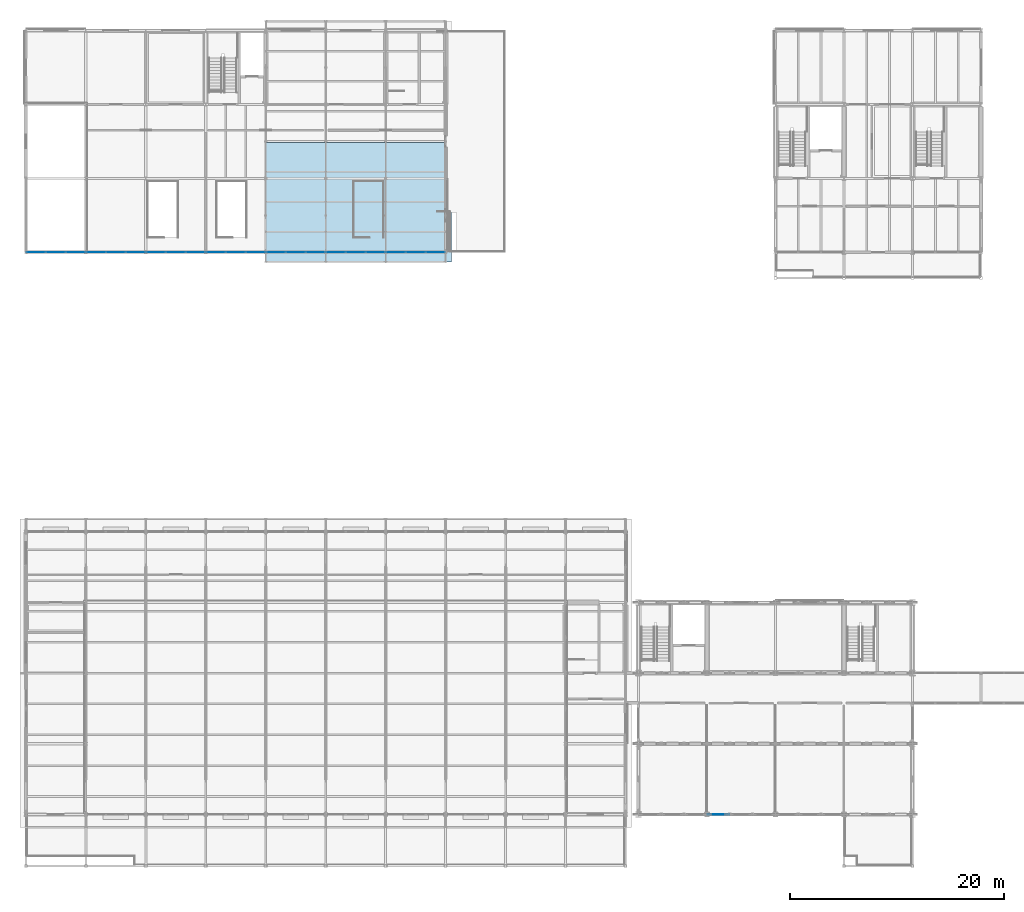
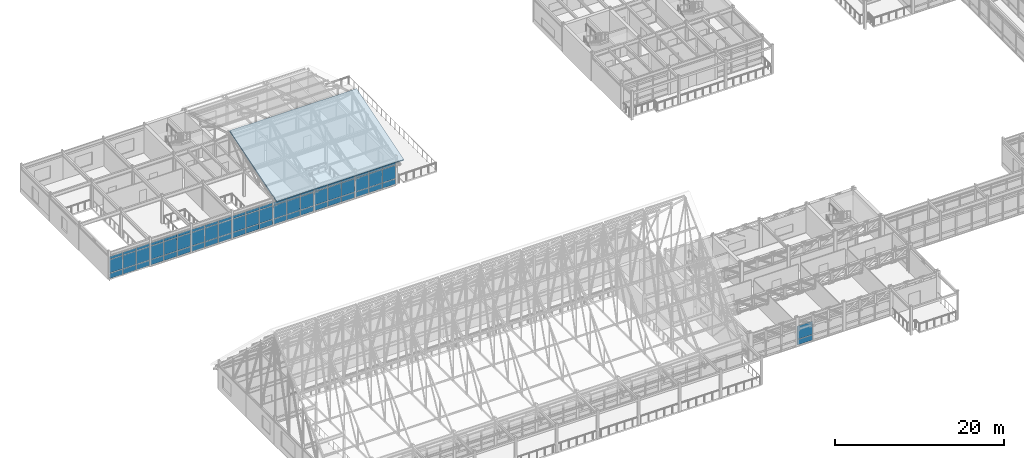
# One storey, part 94 of 144: 65 plates, 1 slab, 8 elements without a shape of their own.
"""IFC4 building model written with IfcOpenShell, lengths in metres."""

from ifc_helpers import new_model, si_unit, direction, frame, origin, origin_2d, place, context, subcontext, project, spatial, polyline, rectangle, outline, extrude, material, layer, layer_set, type_object, element, aggregate, save


model = new_model("IFC4")

# Units and contexts
model_context = context("Model", 3, precision=1e-05, world=origin(), true_north=direction((0.0, 1.0)))
body_context = subcontext(model_context, "Body", "Model", "MODEL_VIEW")
ifc_project = project(units=[si_unit("LENGTHUNIT", "METRE"), si_unit("AREAUNIT", "SQUARE_METRE"), si_unit("VOLUMEUNIT", "CUBIC_METRE"), si_unit("PLANEANGLEUNIT", "RADIAN"), si_unit("MASSUNIT", "GRAM", prefix="KILO")], contexts=[model_context])

# Site, building, storey
site_placement = place(None, origin())
site = spatial("IfcSite", under=ifc_project, at=site_placement, CompositionType="ELEMENT")
building_placement = place(site_placement, origin())
building = spatial("IfcBuilding", under=site, at=building_placement, Name="Trelmorton Wharf Fire Station", CompositionType="ELEMENT")
storey_placement = place(building_placement, frame((0.0, 0.0, 5.39990234375)))
storey = spatial("IfcBuildingStorey", under=building, at=storey_placement, Name="L01", CompositionType="ELEMENT", Elevation=5.39990234375)

# Curtain wall, plates
ifc_material_1 = material(Name="Anodised aluminium AW-6063", Category="aluminium")
ifc_layer_1 = layer(ifc_material_1, 0.159912109375)
ifc_layer_set_1 = layer_set([ifc_layer_1], Name="Anodised aluminium AW-6063")
curtain_wall_type_1 = type_object("IfcCurtainWallType", Name="CW_CHIC_A", PredefinedType="USERDEFINED", material=ifc_layer_set_1)
curtain_wall_1_placement = place(storey_placement, origin())
curtain_wall_1 = element("IfcCurtainWall", 1, at=curtain_wall_1_placement, inside=storey, type_object=curtain_wall_type_1, Name="CW-V3-L01-023", ObjectType="CHICAGO BAY CURTAIN WALL", PredefinedType="USERDEFINED")
ifc_material_2 = material(Name="Tempered low-E double glazing", Category="glass")
ifc_layer_2 = layer(ifc_material_2, 0.028076171875)
ifc_layer_set_2 = layer_set([ifc_layer_2], Name="Tempered low-E double glazing")
plate_type_1 = type_object("IfcPlateType", Name="CWP_GLAZ_28", PredefinedType="CURTAIN_PANEL", material=ifc_layer_set_2)
plate_1_placement = place(storey_placement, frame((65.485107421875, 7.800048828125, 0.06005859375), z_axis=(0.0, 0.0, 1.0), x_axis=(-1.0, 0.0, 0.0)))
plate_1 = element("IfcPlate", 2, at=plate_1_placement, type_object=plate_type_1, Name="CW1 panel 3.1", PredefinedType="CURTAIN_PANEL", context=body_context, shape_type="SweptSolid", body=[
    extrude(rectangle(XDim=2.0400390625, YDim=0.028076171875, at=origin_2d()), origin(), (0.0, 0.0, 1.0), 0.760009765625),
])
plate_2_placement = place(storey_placement, frame((65.485107421875, 7.800048828125, 0.88037109375), z_axis=(0.0, 0.0, 1.0), x_axis=(-1.0, 0.0, 0.0)))
plate_2 = element("IfcPlate", 3, at=plate_2_placement, type_object=plate_type_1, Name="CW1 panel 3.2", PredefinedType="CURTAIN_PANEL", context=body_context, shape_type="SweptSolid", body=[
    extrude(rectangle(XDim=2.0400390625, YDim=0.028076171875, at=origin_2d()), origin(), (0.0, 0.0, 1.0), 1.909912109375),
])
aggregate(curtain_wall_1, [plate_1, plate_2])

ifc_layer_3 = layer(ifc_material_1, 0.14990234375)
ifc_layer_set_3 = layer_set([ifc_layer_3], Name="Anodised aluminium AW-6063")
curtain_wall_type_2 = type_object("IfcCurtainWallType", Name="CW_UNIT_A", PredefinedType="USERDEFINED", material=ifc_layer_set_3)
curtain_wall_2_placement = place(storey_placement, origin())
curtain_wall_2 = element("IfcCurtainWall", 4, at=curtain_wall_2_placement, inside=storey, type_object=curtain_wall_type_2, Name="CW-V6-L01-091", ObjectType="UNITISED CURTAIN WALL", PredefinedType="USERDEFINED")
plate_3_placement = place(storey_placement, frame((11.04833984375, 60.300048828125, 0.06005859375), z_axis=(0.0, 0.0, 1.0), x_axis=(-1.0, 0.0, 0.0)))
plate_3 = element("IfcPlate", 5, at=plate_3_placement, type_object=plate_type_1, Name="CW3 panel 1.1", PredefinedType="CURTAIN_PANEL", context=body_context, shape_type="SweptSolid", body=[
    extrude(rectangle(XDim=1.7734375, YDim=0.028076171875, at=origin_2d()), origin(), (0.0, 0.0, 1.0), 0.760009765625),
])
plate_4_placement = place(storey_placement, frame((11.04833984375, 60.300048828125, 0.88037109375), z_axis=(0.0, 0.0, 1.0), x_axis=(-1.0, 0.0, 0.0)))
plate_4 = element("IfcPlate", 6, at=plate_4_placement, type_object=plate_type_1, Name="CW3 panel 1.2", PredefinedType="CURTAIN_PANEL", context=body_context, shape_type="SweptSolid", body=[
    extrude(rectangle(XDim=1.7734375, YDim=0.028076171875, at=origin_2d()), origin(), (0.0, 0.0, 1.0), 1.909912109375),
])
plate_5_placement = place(storey_placement, frame((11.04833984375, 60.300048828125, 2.85009765625), z_axis=(0.0, 0.0, 1.0), x_axis=(-1.0, 0.0, 0.0)))
plate_5 = element("IfcPlate", 7, at=plate_5_placement, type_object=plate_type_1, Name="CW3 panel 1.3", PredefinedType="CURTAIN_PANEL", context=body_context, shape_type="SweptSolid", body=[
    extrude(rectangle(XDim=1.7734375, YDim=0.028076171875, at=origin_2d()), origin(), (0.0, 0.0, 1.0), 0.409912109375),
])
plate_6_placement = place(storey_placement, frame((9.199951171875, 60.300048828125, 0.06005859375), z_axis=(0.0, 0.0, 1.0), x_axis=(-1.0, 0.0, 0.0)))
plate_6 = element("IfcPlate", 8, at=plate_6_placement, type_object=plate_type_1, Name="CW3 panel 2.1", PredefinedType="CURTAIN_PANEL", context=body_context, shape_type="SweptSolid", body=[
    extrude(rectangle(XDim=1.80322265625, YDim=0.028076171875, at=origin_2d()), origin(), (0.0, 0.0, 1.0), 0.760009765625),
])
plate_7_placement = place(storey_placement, frame((9.199951171875, 60.300048828125, 0.88037109375), z_axis=(0.0, 0.0, 1.0), x_axis=(-1.0, 0.0, 0.0)))
plate_7 = element("IfcPlate", 9, at=plate_7_placement, type_object=plate_type_1, Name="CW3 panel 2.2", PredefinedType="CURTAIN_PANEL", context=body_context, shape_type="SweptSolid", body=[
    extrude(rectangle(XDim=1.80322265625, YDim=0.028076171875, at=origin_2d()), origin(), (0.0, 0.0, 1.0), 1.909912109375),
])
plate_8_placement = place(storey_placement, frame((9.199951171875, 60.300048828125, 2.85009765625), z_axis=(0.0, 0.0, 1.0), x_axis=(-1.0, 0.0, 0.0)))
plate_8 = element("IfcPlate", 10, at=plate_8_placement, type_object=plate_type_1, Name="CW3 panel 2.3", PredefinedType="CURTAIN_PANEL", context=body_context, shape_type="SweptSolid", body=[
    extrude(rectangle(XDim=1.80322265625, YDim=0.028076171875, at=origin_2d()), origin(), (0.0, 0.0, 1.0), 0.409912109375),
])
plate_9_placement = place(storey_placement, frame((7.3515625, 60.300048828125, 0.06005859375), z_axis=(0.0, 0.0, 1.0), x_axis=(-1.0, 0.0, 0.0)))
plate_9 = element("IfcPlate", 11, at=plate_9_placement, type_object=plate_type_1, Name="CW3 panel 3.1", PredefinedType="CURTAIN_PANEL", context=body_context, shape_type="SweptSolid", body=[
    extrude(rectangle(XDim=1.7734375, YDim=0.028076171875, at=origin_2d()), origin(), (0.0, 0.0, 1.0), 0.760009765625),
])
plate_10_placement = place(storey_placement, frame((7.3515625, 60.300048828125, 0.88037109375), z_axis=(0.0, 0.0, 1.0), x_axis=(-1.0, 0.0, 0.0)))
plate_10 = element("IfcPlate", 12, at=plate_10_placement, type_object=plate_type_1, Name="CW3 panel 3.2", PredefinedType="CURTAIN_PANEL", context=body_context, shape_type="SweptSolid", body=[
    extrude(rectangle(XDim=1.7734375, YDim=0.028076171875, at=origin_2d()), origin(), (0.0, 0.0, 1.0), 1.909912109375),
])
plate_11_placement = place(storey_placement, frame((7.3515625, 60.300048828125, 2.85009765625), z_axis=(0.0, 0.0, 1.0), x_axis=(-1.0, 0.0, 0.0)))
plate_11 = element("IfcPlate", 13, at=plate_11_placement, type_object=plate_type_1, Name="CW3 panel 3.3", PredefinedType="CURTAIN_PANEL", context=body_context, shape_type="SweptSolid", body=[
    extrude(rectangle(XDim=1.7734375, YDim=0.028076171875, at=origin_2d()), origin(), (0.0, 0.0, 1.0), 0.409912109375),
])
aggregate(curtain_wall_2, [plate_3, plate_4, plate_5, plate_6, plate_7, plate_8, plate_9, plate_10, plate_11])

curtain_wall_3_placement = place(storey_placement, origin())
curtain_wall_3 = element("IfcCurtainWall", 14, at=curtain_wall_3_placement, inside=storey, type_object=curtain_wall_type_2, Name="CW-V6-L01-092", ObjectType="UNITISED CURTAIN WALL", PredefinedType="USERDEFINED")
plate_12_placement = place(storey_placement, frame((16.6484375, 60.300048828125, 0.06005859375), z_axis=(0.0, 0.0, 1.0), x_axis=(-1.0, 0.0, 0.0)))
plate_12 = element("IfcPlate", 15, at=plate_12_placement, type_object=plate_type_1, Name="CW3 panel 1.1", PredefinedType="CURTAIN_PANEL", context=body_context, shape_type="SweptSolid", body=[
    extrude(rectangle(XDim=1.7734375, YDim=0.028076171875, at=origin_2d()), origin(), (0.0, 0.0, 1.0), 0.760009765625),
])
plate_13_placement = place(storey_placement, frame((16.6484375, 60.300048828125, 0.88037109375), z_axis=(0.0, 0.0, 1.0), x_axis=(-1.0, 0.0, 0.0)))
plate_13 = element("IfcPlate", 16, at=plate_13_placement, type_object=plate_type_1, Name="CW3 panel 1.2", PredefinedType="CURTAIN_PANEL", context=body_context, shape_type="SweptSolid", body=[
    extrude(rectangle(XDim=1.7734375, YDim=0.028076171875, at=origin_2d()), origin(), (0.0, 0.0, 1.0), 1.909912109375),
])
plate_14_placement = place(storey_placement, frame((16.6484375, 60.300048828125, 2.85009765625), z_axis=(0.0, 0.0, 1.0), x_axis=(-1.0, 0.0, 0.0)))
plate_14 = element("IfcPlate", 17, at=plate_14_placement, type_object=plate_type_1, Name="CW3 panel 1.3", PredefinedType="CURTAIN_PANEL", context=body_context, shape_type="SweptSolid", body=[
    extrude(rectangle(XDim=1.7734375, YDim=0.028076171875, at=origin_2d()), origin(), (0.0, 0.0, 1.0), 0.409912109375),
])
plate_15_placement = place(storey_placement, frame((14.800048828125, 60.300048828125, 0.06005859375), z_axis=(0.0, 0.0, 1.0), x_axis=(-1.0, 0.0, 0.0)))
plate_15 = element("IfcPlate", 18, at=plate_15_placement, type_object=plate_type_1, Name="CW3 panel 2.1", PredefinedType="CURTAIN_PANEL", context=body_context, shape_type="SweptSolid", body=[
    extrude(rectangle(XDim=1.80322265625, YDim=0.028076171875, at=origin_2d()), origin(), (0.0, 0.0, 1.0), 0.760009765625),
])
plate_16_placement = place(storey_placement, frame((14.800048828125, 60.300048828125, 0.88037109375), z_axis=(0.0, 0.0, 1.0), x_axis=(-1.0, 0.0, 0.0)))
plate_16 = element("IfcPlate", 19, at=plate_16_placement, type_object=plate_type_1, Name="CW3 panel 2.2", PredefinedType="CURTAIN_PANEL", context=body_context, shape_type="SweptSolid", body=[
    extrude(rectangle(XDim=1.80322265625, YDim=0.028076171875, at=origin_2d()), origin(), (0.0, 0.0, 1.0), 1.909912109375),
])
plate_17_placement = place(storey_placement, frame((14.800048828125, 60.300048828125, 2.85009765625), z_axis=(0.0, 0.0, 1.0), x_axis=(-1.0, 0.0, 0.0)))
plate_17 = element("IfcPlate", 20, at=plate_17_placement, type_object=plate_type_1, Name="CW3 panel 2.3", PredefinedType="CURTAIN_PANEL", context=body_context, shape_type="SweptSolid", body=[
    extrude(rectangle(XDim=1.80322265625, YDim=0.028076171875, at=origin_2d()), origin(), (0.0, 0.0, 1.0), 0.409912109375),
])
plate_18_placement = place(storey_placement, frame((12.95166015625, 60.300048828125, 0.06005859375), z_axis=(0.0, 0.0, 1.0), x_axis=(-1.0, 0.0, 0.0)))
plate_18 = element("IfcPlate", 21, at=plate_18_placement, type_object=plate_type_1, Name="CW3 panel 3.1", PredefinedType="CURTAIN_PANEL", context=body_context, shape_type="SweptSolid", body=[
    extrude(rectangle(XDim=1.7734375, YDim=0.028076171875, at=origin_2d()), origin(), (0.0, 0.0, 1.0), 0.760009765625),
])
plate_19_placement = place(storey_placement, frame((12.95166015625, 60.300048828125, 0.88037109375), z_axis=(0.0, 0.0, 1.0), x_axis=(-1.0, 0.0, 0.0)))
plate_19 = element("IfcPlate", 22, at=plate_19_placement, type_object=plate_type_1, Name="CW3 panel 3.2", PredefinedType="CURTAIN_PANEL", context=body_context, shape_type="SweptSolid", body=[
    extrude(rectangle(XDim=1.7734375, YDim=0.028076171875, at=origin_2d()), origin(), (0.0, 0.0, 1.0), 1.909912109375),
])
plate_20_placement = place(storey_placement, frame((12.95166015625, 60.300048828125, 2.85009765625), z_axis=(0.0, 0.0, 1.0), x_axis=(-1.0, 0.0, 0.0)))
plate_20 = element("IfcPlate", 23, at=plate_20_placement, type_object=plate_type_1, Name="CW3 panel 3.3", PredefinedType="CURTAIN_PANEL", context=body_context, shape_type="SweptSolid", body=[
    extrude(rectangle(XDim=1.7734375, YDim=0.028076171875, at=origin_2d()), origin(), (0.0, 0.0, 1.0), 0.409912109375),
])
aggregate(curtain_wall_3, [plate_12, plate_13, plate_14, plate_15, plate_16, plate_17, plate_18, plate_19, plate_20])

curtain_wall_4_placement = place(storey_placement, origin())
curtain_wall_4 = element("IfcCurtainWall", 24, at=curtain_wall_4_placement, inside=storey, type_object=curtain_wall_type_2, Name="CW-V6-L01-094", ObjectType="UNITISED CURTAIN WALL", PredefinedType="USERDEFINED")
plate_21_placement = place(storey_placement, frame((27.848388671875, 60.300048828125, 0.06005859375), z_axis=(0.0, 0.0, 1.0), x_axis=(-1.0, 0.0, 0.0)))
plate_21 = element("IfcPlate", 25, at=plate_21_placement, type_object=plate_type_1, Name="CW3 panel 1.1", PredefinedType="CURTAIN_PANEL", context=body_context, shape_type="SweptSolid", body=[
    extrude(rectangle(XDim=1.7734375, YDim=0.028076171875, at=origin_2d()), origin(), (0.0, 0.0, 1.0), 0.760009765625),
])
plate_22_placement = place(storey_placement, frame((27.848388671875, 60.300048828125, 0.88037109375), z_axis=(0.0, 0.0, 1.0), x_axis=(-1.0, 0.0, 0.0)))
plate_22 = element("IfcPlate", 26, at=plate_22_placement, type_object=plate_type_1, Name="CW3 panel 1.2", PredefinedType="CURTAIN_PANEL", context=body_context, shape_type="SweptSolid", body=[
    extrude(rectangle(XDim=1.7734375, YDim=0.028076171875, at=origin_2d()), origin(), (0.0, 0.0, 1.0), 1.909912109375),
])
plate_23_placement = place(storey_placement, frame((27.848388671875, 60.300048828125, 2.85009765625), z_axis=(0.0, 0.0, 1.0), x_axis=(-1.0, 0.0, 0.0)))
plate_23 = element("IfcPlate", 27, at=plate_23_placement, type_object=plate_type_1, Name="CW3 panel 1.3", PredefinedType="CURTAIN_PANEL", context=body_context, shape_type="SweptSolid", body=[
    extrude(rectangle(XDim=1.7734375, YDim=0.028076171875, at=origin_2d()), origin(), (0.0, 0.0, 1.0), 0.409912109375),
])
plate_24_placement = place(storey_placement, frame((26.0, 60.300048828125, 0.06005859375), z_axis=(0.0, 0.0, 1.0), x_axis=(-1.0, 0.0, 0.0)))
plate_24 = element("IfcPlate", 28, at=plate_24_placement, type_object=plate_type_1, Name="CW3 panel 2.1", PredefinedType="CURTAIN_PANEL", context=body_context, shape_type="SweptSolid", body=[
    extrude(rectangle(XDim=1.80322265625, YDim=0.028076171875, at=origin_2d()), origin(), (0.0, 0.0, 1.0), 0.760009765625),
])
plate_25_placement = place(storey_placement, frame((26.0, 60.300048828125, 0.88037109375), z_axis=(0.0, 0.0, 1.0), x_axis=(-1.0, 0.0, 0.0)))
plate_25 = element("IfcPlate", 29, at=plate_25_placement, type_object=plate_type_1, Name="CW3 panel 2.2", PredefinedType="CURTAIN_PANEL", context=body_context, shape_type="SweptSolid", body=[
    extrude(rectangle(XDim=1.80322265625, YDim=0.028076171875, at=origin_2d()), origin(), (0.0, 0.0, 1.0), 1.909912109375),
])
plate_26_placement = place(storey_placement, frame((26.0, 60.300048828125, 2.85009765625), z_axis=(0.0, 0.0, 1.0), x_axis=(-1.0, 0.0, 0.0)))
plate_26 = element("IfcPlate", 30, at=plate_26_placement, type_object=plate_type_1, Name="CW3 panel 2.3", PredefinedType="CURTAIN_PANEL", context=body_context, shape_type="SweptSolid", body=[
    extrude(rectangle(XDim=1.80322265625, YDim=0.028076171875, at=origin_2d()), origin(), (0.0, 0.0, 1.0), 0.409912109375),
])
plate_27_placement = place(storey_placement, frame((24.151611328125, 60.300048828125, 0.06005859375), z_axis=(0.0, 0.0, 1.0), x_axis=(-1.0, 0.0, 0.0)))
plate_27 = element("IfcPlate", 31, at=plate_27_placement, type_object=plate_type_1, Name="CW3 panel 3.1", PredefinedType="CURTAIN_PANEL", context=body_context, shape_type="SweptSolid", body=[
    extrude(rectangle(XDim=1.7734375, YDim=0.028076171875, at=origin_2d()), origin(), (0.0, 0.0, 1.0), 0.760009765625),
])
plate_28_placement = place(storey_placement, frame((24.151611328125, 60.300048828125, 0.88037109375), z_axis=(0.0, 0.0, 1.0), x_axis=(-1.0, 0.0, 0.0)))
plate_28 = element("IfcPlate", 32, at=plate_28_placement, type_object=plate_type_1, Name="CW3 panel 3.2", PredefinedType="CURTAIN_PANEL", context=body_context, shape_type="SweptSolid", body=[
    extrude(rectangle(XDim=1.7734375, YDim=0.028076171875, at=origin_2d()), origin(), (0.0, 0.0, 1.0), 1.909912109375),
])
plate_29_placement = place(storey_placement, frame((24.151611328125, 60.300048828125, 2.85009765625), z_axis=(0.0, 0.0, 1.0), x_axis=(-1.0, 0.0, 0.0)))
plate_29 = element("IfcPlate", 33, at=plate_29_placement, type_object=plate_type_1, Name="CW3 panel 3.3", PredefinedType="CURTAIN_PANEL", context=body_context, shape_type="SweptSolid", body=[
    extrude(rectangle(XDim=1.7734375, YDim=0.028076171875, at=origin_2d()), origin(), (0.0, 0.0, 1.0), 0.409912109375),
])
aggregate(curtain_wall_4, [plate_21, plate_22, plate_23, plate_24, plate_25, plate_26, plate_27, plate_28, plate_29])

curtain_wall_5_placement = place(storey_placement, origin())
curtain_wall_5 = element("IfcCurtainWall", 34, at=curtain_wall_5_placement, inside=storey, type_object=curtain_wall_type_2, Name="CW-V6-L01-095", ObjectType="UNITISED CURTAIN WALL", PredefinedType="USERDEFINED")
plate_30_placement = place(storey_placement, frame((33.4482421875, 60.300048828125, 0.06005859375), z_axis=(0.0, 0.0, 1.0), x_axis=(-1.0, 0.0, 0.0)))
plate_30 = element("IfcPlate", 35, at=plate_30_placement, type_object=plate_type_1, Name="CW3 panel 1.1", PredefinedType="CURTAIN_PANEL", context=body_context, shape_type="SweptSolid", body=[
    extrude(rectangle(XDim=1.7734375, YDim=0.028076171875, at=origin_2d()), origin(), (0.0, 0.0, 1.0), 0.760009765625),
])
plate_31_placement = place(storey_placement, frame((33.4482421875, 60.300048828125, 0.88037109375), z_axis=(0.0, 0.0, 1.0), x_axis=(-1.0, 0.0, 0.0)))
plate_31 = element("IfcPlate", 36, at=plate_31_placement, type_object=plate_type_1, Name="CW3 panel 1.2", PredefinedType="CURTAIN_PANEL", context=body_context, shape_type="SweptSolid", body=[
    extrude(rectangle(XDim=1.7734375, YDim=0.028076171875, at=origin_2d()), origin(), (0.0, 0.0, 1.0), 1.909912109375),
])
plate_32_placement = place(storey_placement, frame((33.4482421875, 60.300048828125, 2.85009765625), z_axis=(0.0, 0.0, 1.0), x_axis=(-1.0, 0.0, 0.0)))
plate_32 = element("IfcPlate", 37, at=plate_32_placement, type_object=plate_type_1, Name="CW3 panel 1.3", PredefinedType="CURTAIN_PANEL", context=body_context, shape_type="SweptSolid", body=[
    extrude(rectangle(XDim=1.7734375, YDim=0.028076171875, at=origin_2d()), origin(), (0.0, 0.0, 1.0), 0.409912109375),
])
plate_33_placement = place(storey_placement, frame((31.60009765625, 60.300048828125, 0.06005859375), z_axis=(0.0, 0.0, 1.0), x_axis=(-1.0, 0.0, 0.0)))
plate_33 = element("IfcPlate", 38, at=plate_33_placement, type_object=plate_type_1, Name="CW3 panel 2.1", PredefinedType="CURTAIN_PANEL", context=body_context, shape_type="SweptSolid", body=[
    extrude(rectangle(XDim=1.80322265625, YDim=0.028076171875, at=origin_2d()), origin(), (0.0, 0.0, 1.0), 0.760009765625),
])
plate_34_placement = place(storey_placement, frame((31.60009765625, 60.300048828125, 0.88037109375), z_axis=(0.0, 0.0, 1.0), x_axis=(-1.0, 0.0, 0.0)))
plate_34 = element("IfcPlate", 39, at=plate_34_placement, type_object=plate_type_1, Name="CW3 panel 2.2", PredefinedType="CURTAIN_PANEL", context=body_context, shape_type="SweptSolid", body=[
    extrude(rectangle(XDim=1.80322265625, YDim=0.028076171875, at=origin_2d()), origin(), (0.0, 0.0, 1.0), 1.909912109375),
])
plate_35_placement = place(storey_placement, frame((31.60009765625, 60.300048828125, 2.85009765625), z_axis=(0.0, 0.0, 1.0), x_axis=(-1.0, 0.0, 0.0)))
plate_35 = element("IfcPlate", 40, at=plate_35_placement, type_object=plate_type_1, Name="CW3 panel 2.3", PredefinedType="CURTAIN_PANEL", context=body_context, shape_type="SweptSolid", body=[
    extrude(rectangle(XDim=1.80322265625, YDim=0.028076171875, at=origin_2d()), origin(), (0.0, 0.0, 1.0), 0.409912109375),
])
plate_36_placement = place(storey_placement, frame((29.751708984375, 60.300048828125, 0.06005859375), z_axis=(0.0, 0.0, 1.0), x_axis=(-1.0, 0.0, 0.0)))
plate_36 = element("IfcPlate", 41, at=plate_36_placement, type_object=plate_type_1, Name="CW3 panel 3.1", PredefinedType="CURTAIN_PANEL", context=body_context, shape_type="SweptSolid", body=[
    extrude(rectangle(XDim=1.7734375, YDim=0.028076171875, at=origin_2d()), origin(), (0.0, 0.0, 1.0), 0.760009765625),
])
plate_37_placement = place(storey_placement, frame((29.751708984375, 60.300048828125, 0.88037109375), z_axis=(0.0, 0.0, 1.0), x_axis=(-1.0, 0.0, 0.0)))
plate_37 = element("IfcPlate", 42, at=plate_37_placement, type_object=plate_type_1, Name="CW3 panel 3.2", PredefinedType="CURTAIN_PANEL", context=body_context, shape_type="SweptSolid", body=[
    extrude(rectangle(XDim=1.7734375, YDim=0.028076171875, at=origin_2d()), origin(), (0.0, 0.0, 1.0), 1.909912109375),
])
plate_38_placement = place(storey_placement, frame((29.751708984375, 60.300048828125, 2.85009765625), z_axis=(0.0, 0.0, 1.0), x_axis=(-1.0, 0.0, 0.0)))
plate_38 = element("IfcPlate", 43, at=plate_38_placement, type_object=plate_type_1, Name="CW3 panel 3.3", PredefinedType="CURTAIN_PANEL", context=body_context, shape_type="SweptSolid", body=[
    extrude(rectangle(XDim=1.7734375, YDim=0.028076171875, at=origin_2d()), origin(), (0.0, 0.0, 1.0), 0.409912109375),
])
aggregate(curtain_wall_5, [plate_30, plate_31, plate_32, plate_33, plate_34, plate_35, plate_36, plate_37, plate_38])

curtain_wall_6_placement = place(storey_placement, origin())
curtain_wall_6 = element("IfcCurtainWall", 44, at=curtain_wall_6_placement, inside=storey, type_object=curtain_wall_type_2, Name="CW-V6-L01-093", ObjectType="UNITISED CURTAIN WALL", PredefinedType="USERDEFINED")
ifc_layer_4 = layer(ifc_material_2, 0.028076171875)
ifc_layer_set_4 = layer_set([ifc_layer_4], Name="Tempered low-E double glazing")
plate_type_2 = type_object("IfcPlateType", Name="CWP_GLAZ_38", PredefinedType="CURTAIN_PANEL", material=ifc_layer_set_4)
plate_39_placement = place(storey_placement, frame((22.248291015625, 60.300048828125, 0.06005859375), z_axis=(0.0, 0.0, 1.0), x_axis=(-1.0, 0.0, 0.0)))
plate_39 = element("IfcPlate", 45, at=plate_39_placement, type_object=plate_type_2, Name="CW3 panel 1.1", PredefinedType="CURTAIN_PANEL", context=body_context, shape_type="SweptSolid", body=[
    extrude(rectangle(XDim=1.7734375, YDim=0.028076171875, at=origin_2d()), origin(), (0.0, 0.0, 1.0), 0.760009765625),
])
plate_40_placement = place(storey_placement, frame((22.248291015625, 60.300048828125, 0.88037109375), z_axis=(0.0, 0.0, 1.0), x_axis=(-1.0, 0.0, 0.0)))
plate_40 = element("IfcPlate", 46, at=plate_40_placement, type_object=plate_type_2, Name="CW3 panel 1.2", PredefinedType="CURTAIN_PANEL", context=body_context, shape_type="SweptSolid", body=[
    extrude(rectangle(XDim=1.7734375, YDim=0.028076171875, at=origin_2d()), origin(), (0.0, 0.0, 1.0), 1.909912109375),
])
plate_41_placement = place(storey_placement, frame((22.248291015625, 60.300048828125, 2.85009765625), z_axis=(0.0, 0.0, 1.0), x_axis=(-1.0, 0.0, 0.0)))
plate_41 = element("IfcPlate", 47, at=plate_41_placement, type_object=plate_type_2, Name="CW3 panel 1.3", PredefinedType="CURTAIN_PANEL", context=body_context, shape_type="SweptSolid", body=[
    extrude(rectangle(XDim=1.7734375, YDim=0.028076171875, at=origin_2d()), origin(), (0.0, 0.0, 1.0), 0.409912109375),
])
plate_42_placement = place(storey_placement, frame((20.39990234375, 60.300048828125, 0.06005859375), z_axis=(0.0, 0.0, 1.0), x_axis=(-1.0, 0.0, 0.0)))
plate_42 = element("IfcPlate", 48, at=plate_42_placement, type_object=plate_type_2, Name="CW3 panel 2.1", PredefinedType="CURTAIN_PANEL", context=body_context, shape_type="SweptSolid", body=[
    extrude(rectangle(XDim=1.80322265625, YDim=0.028076171875, at=origin_2d()), origin(), (0.0, 0.0, 1.0), 0.760009765625),
])
plate_43_placement = place(storey_placement, frame((20.39990234375, 60.300048828125, 0.88037109375), z_axis=(0.0, 0.0, 1.0), x_axis=(-1.0, 0.0, 0.0)))
plate_43 = element("IfcPlate", 49, at=plate_43_placement, type_object=plate_type_2, Name="CW3 panel 2.2", PredefinedType="CURTAIN_PANEL", context=body_context, shape_type="SweptSolid", body=[
    extrude(rectangle(XDim=1.80322265625, YDim=0.028076171875, at=origin_2d()), origin(), (0.0, 0.0, 1.0), 1.909912109375),
])
plate_44_placement = place(storey_placement, frame((20.39990234375, 60.300048828125, 2.85009765625), z_axis=(0.0, 0.0, 1.0), x_axis=(-1.0, 0.0, 0.0)))
plate_44 = element("IfcPlate", 50, at=plate_44_placement, type_object=plate_type_2, Name="CW3 panel 2.3", PredefinedType="CURTAIN_PANEL", context=body_context, shape_type="SweptSolid", body=[
    extrude(rectangle(XDim=1.80322265625, YDim=0.028076171875, at=origin_2d()), origin(), (0.0, 0.0, 1.0), 0.409912109375),
])
plate_45_placement = place(storey_placement, frame((18.5517578125, 60.300048828125, 0.06005859375), z_axis=(0.0, 0.0, 1.0), x_axis=(-1.0, 0.0, 0.0)))
plate_45 = element("IfcPlate", 51, at=plate_45_placement, type_object=plate_type_2, Name="CW3 panel 3.1", PredefinedType="CURTAIN_PANEL", context=body_context, shape_type="SweptSolid", body=[
    extrude(rectangle(XDim=1.7734375, YDim=0.028076171875, at=origin_2d()), origin(), (0.0, 0.0, 1.0), 0.760009765625),
])
plate_46_placement = place(storey_placement, frame((18.5517578125, 60.300048828125, 0.88037109375), z_axis=(0.0, 0.0, 1.0), x_axis=(-1.0, 0.0, 0.0)))
plate_46 = element("IfcPlate", 52, at=plate_46_placement, type_object=plate_type_2, Name="CW3 panel 3.2", PredefinedType="CURTAIN_PANEL", context=body_context, shape_type="SweptSolid", body=[
    extrude(rectangle(XDim=1.7734375, YDim=0.028076171875, at=origin_2d()), origin(), (0.0, 0.0, 1.0), 1.909912109375),
])
plate_47_placement = place(storey_placement, frame((18.5517578125, 60.300048828125, 2.85009765625), z_axis=(0.0, 0.0, 1.0), x_axis=(-1.0, 0.0, 0.0)))
plate_47 = element("IfcPlate", 53, at=plate_47_placement, type_object=plate_type_2, Name="CW3 panel 3.3", PredefinedType="CURTAIN_PANEL", context=body_context, shape_type="SweptSolid", body=[
    extrude(rectangle(XDim=1.7734375, YDim=0.028076171875, at=origin_2d()), origin(), (0.0, 0.0, 1.0), 0.409912109375),
])
aggregate(curtain_wall_6, [plate_39, plate_40, plate_41, plate_42, plate_43, plate_44, plate_45, plate_46, plate_47])

curtain_wall_7_placement = place(storey_placement, origin())
curtain_wall_7 = element("IfcCurtainWall", 54, at=curtain_wall_7_placement, inside=storey, type_object=curtain_wall_type_2, Name="CW-V6-L01-090", ObjectType="UNITISED CURTAIN WALL", PredefinedType="USERDEFINED")
ifc_material_3 = material(Name="Ceramic-fritted spandrel glazing", Category="glass")
ifc_layer_5 = layer(ifc_material_3, 0.028076171875)
ifc_layer_set_5 = layer_set([ifc_layer_5], Name="Ceramic-fritted spandrel glazing")
plate_type_3 = type_object("IfcPlateType", Name="CWP_SPAN_48", PredefinedType="CURTAIN_PANEL", material=ifc_layer_set_5)
plate_48_placement = place(storey_placement, frame((5.4482421875, 60.300048828125, 0.06005859375), z_axis=(0.0, 0.0, 1.0), x_axis=(-1.0, 0.0, 0.0)))
plate_48 = element("IfcPlate", 55, at=plate_48_placement, type_object=plate_type_3, Name="CW3 panel 1.1", PredefinedType="CURTAIN_PANEL", context=body_context, shape_type="SweptSolid", body=[
    extrude(rectangle(XDim=1.7734375, YDim=0.028076171875, at=origin_2d()), origin(), (0.0, 0.0, 1.0), 0.760009765625),
])
plate_49_placement = place(storey_placement, frame((5.4482421875, 60.300048828125, 0.88037109375), z_axis=(0.0, 0.0, 1.0), x_axis=(-1.0, 0.0, 0.0)))
plate_49 = element("IfcPlate", 56, at=plate_49_placement, type_object=plate_type_3, Name="CW3 panel 1.2", PredefinedType="CURTAIN_PANEL", context=body_context, shape_type="SweptSolid", body=[
    extrude(rectangle(XDim=1.7734375, YDim=0.028076171875, at=origin_2d()), origin(), (0.0, 0.0, 1.0), 1.909912109375),
])
plate_50_placement = place(storey_placement, frame((5.4482421875, 60.300048828125, 2.85009765625), z_axis=(0.0, 0.0, 1.0), x_axis=(-1.0, 0.0, 0.0)))
plate_50 = element("IfcPlate", 57, at=plate_50_placement, type_object=plate_type_3, Name="CW3 panel 1.3", PredefinedType="CURTAIN_PANEL", context=body_context, shape_type="SweptSolid", body=[
    extrude(rectangle(XDim=1.7734375, YDim=0.028076171875, at=origin_2d()), origin(), (0.0, 0.0, 1.0), 0.409912109375),
])
plate_51_placement = place(storey_placement, frame((3.60009765625, 60.300048828125, 0.06005859375), z_axis=(0.0, 0.0, 1.0), x_axis=(-1.0, 0.0, 0.0)))
plate_51 = element("IfcPlate", 58, at=plate_51_placement, type_object=plate_type_3, Name="CW3 panel 2.1", PredefinedType="CURTAIN_PANEL", context=body_context, shape_type="SweptSolid", body=[
    extrude(rectangle(XDim=1.80322265625, YDim=0.028076171875, at=origin_2d()), origin(), (0.0, 0.0, 1.0), 0.760009765625),
])
plate_52_placement = place(storey_placement, frame((3.60009765625, 60.300048828125, 0.88037109375), z_axis=(0.0, 0.0, 1.0), x_axis=(-1.0, 0.0, 0.0)))
plate_52 = element("IfcPlate", 59, at=plate_52_placement, type_object=plate_type_3, Name="CW3 panel 2.2", PredefinedType="CURTAIN_PANEL", context=body_context, shape_type="SweptSolid", body=[
    extrude(rectangle(XDim=1.80322265625, YDim=0.028076171875, at=origin_2d()), origin(), (0.0, 0.0, 1.0), 1.909912109375),
])
plate_53_placement = place(storey_placement, frame((3.60009765625, 60.300048828125, 2.85009765625), z_axis=(0.0, 0.0, 1.0), x_axis=(-1.0, 0.0, 0.0)))
plate_53 = element("IfcPlate", 60, at=plate_53_placement, type_object=plate_type_3, Name="CW3 panel 2.3", PredefinedType="CURTAIN_PANEL", context=body_context, shape_type="SweptSolid", body=[
    extrude(rectangle(XDim=1.80322265625, YDim=0.028076171875, at=origin_2d()), origin(), (0.0, 0.0, 1.0), 0.409912109375),
])
plate_54_placement = place(storey_placement, frame((1.751708984375, 60.300048828125, 0.06005859375), z_axis=(0.0, 0.0, 1.0), x_axis=(-1.0, 0.0, 0.0)))
plate_54 = element("IfcPlate", 61, at=plate_54_placement, type_object=plate_type_3, Name="CW3 panel 3.1", PredefinedType="CURTAIN_PANEL", context=body_context, shape_type="SweptSolid", body=[
    extrude(rectangle(XDim=1.7734375, YDim=0.028076171875, at=origin_2d()), origin(), (0.0, 0.0, 1.0), 0.760009765625),
])
plate_55_placement = place(storey_placement, frame((1.751708984375, 60.300048828125, 0.88037109375), z_axis=(0.0, 0.0, 1.0), x_axis=(-1.0, 0.0, 0.0)))
plate_55 = element("IfcPlate", 62, at=plate_55_placement, type_object=plate_type_3, Name="CW3 panel 3.2", PredefinedType="CURTAIN_PANEL", context=body_context, shape_type="SweptSolid", body=[
    extrude(rectangle(XDim=1.7734375, YDim=0.028076171875, at=origin_2d()), origin(), (0.0, 0.0, 1.0), 1.909912109375),
])
plate_56_placement = place(storey_placement, frame((1.751708984375, 60.300048828125, 2.85009765625), z_axis=(0.0, 0.0, 1.0), x_axis=(-1.0, 0.0, 0.0)))
plate_56 = element("IfcPlate", 63, at=plate_56_placement, type_object=plate_type_3, Name="CW3 panel 3.3", PredefinedType="CURTAIN_PANEL", context=body_context, shape_type="SweptSolid", body=[
    extrude(rectangle(XDim=1.7734375, YDim=0.028076171875, at=origin_2d()), origin(), (0.0, 0.0, 1.0), 0.409912109375),
])
aggregate(curtain_wall_7, [plate_48, plate_49, plate_50, plate_51, plate_52, plate_53, plate_54, plate_55, plate_56])

curtain_wall_8_placement = place(storey_placement, origin())
curtain_wall_8 = element("IfcCurtainWall", 64, at=curtain_wall_8_placement, inside=storey, type_object=curtain_wall_type_2, Name="CW-V6-L01-096", ObjectType="UNITISED CURTAIN WALL", PredefinedType="USERDEFINED")
plate_57_placement = place(storey_placement, frame((39.04833984375, 60.300048828125, 0.06005859375), z_axis=(0.0, 0.0, 1.0), x_axis=(-1.0, 0.0, 0.0)))
plate_57 = element("IfcPlate", 65, at=plate_57_placement, type_object=plate_type_3, Name="CW3 panel 1.1", PredefinedType="CURTAIN_PANEL", context=body_context, shape_type="SweptSolid", body=[
    extrude(rectangle(XDim=1.7734375, YDim=0.028076171875, at=origin_2d()), origin(), (0.0, 0.0, 1.0), 0.760009765625),
])
plate_58_placement = place(storey_placement, frame((39.04833984375, 60.300048828125, 0.88037109375), z_axis=(0.0, 0.0, 1.0), x_axis=(-1.0, 0.0, 0.0)))
plate_58 = element("IfcPlate", 66, at=plate_58_placement, type_object=plate_type_3, Name="CW3 panel 1.2", PredefinedType="CURTAIN_PANEL", context=body_context, shape_type="SweptSolid", body=[
    extrude(rectangle(XDim=1.7734375, YDim=0.028076171875, at=origin_2d()), origin(), (0.0, 0.0, 1.0), 1.909912109375),
])
plate_59_placement = place(storey_placement, frame((39.04833984375, 60.300048828125, 2.85009765625), z_axis=(0.0, 0.0, 1.0), x_axis=(-1.0, 0.0, 0.0)))
plate_59 = element("IfcPlate", 67, at=plate_59_placement, type_object=plate_type_3, Name="CW3 panel 1.3", PredefinedType="CURTAIN_PANEL", context=body_context, shape_type="SweptSolid", body=[
    extrude(rectangle(XDim=1.7734375, YDim=0.028076171875, at=origin_2d()), origin(), (0.0, 0.0, 1.0), 0.409912109375),
])
plate_60_placement = place(storey_placement, frame((37.199951171875, 60.300048828125, 0.06005859375), z_axis=(0.0, 0.0, 1.0), x_axis=(-1.0, 0.0, 0.0)))
plate_60 = element("IfcPlate", 68, at=plate_60_placement, type_object=plate_type_3, Name="CW3 panel 2.1", PredefinedType="CURTAIN_PANEL", context=body_context, shape_type="SweptSolid", body=[
    extrude(rectangle(XDim=1.80322265625, YDim=0.028076171875, at=origin_2d()), origin(), (0.0, 0.0, 1.0), 0.760009765625),
])
plate_61_placement = place(storey_placement, frame((37.199951171875, 60.300048828125, 0.88037109375), z_axis=(0.0, 0.0, 1.0), x_axis=(-1.0, 0.0, 0.0)))
plate_61 = element("IfcPlate", 69, at=plate_61_placement, type_object=plate_type_3, Name="CW3 panel 2.2", PredefinedType="CURTAIN_PANEL", context=body_context, shape_type="SweptSolid", body=[
    extrude(rectangle(XDim=1.80322265625, YDim=0.028076171875, at=origin_2d()), origin(), (0.0, 0.0, 1.0), 1.909912109375),
])
plate_62_placement = place(storey_placement, frame((37.199951171875, 60.300048828125, 2.85009765625), z_axis=(0.0, 0.0, 1.0), x_axis=(-1.0, 0.0, 0.0)))
plate_62 = element("IfcPlate", 70, at=plate_62_placement, type_object=plate_type_3, Name="CW3 panel 2.3", PredefinedType="CURTAIN_PANEL", context=body_context, shape_type="SweptSolid", body=[
    extrude(rectangle(XDim=1.80322265625, YDim=0.028076171875, at=origin_2d()), origin(), (0.0, 0.0, 1.0), 0.409912109375),
])
plate_63_placement = place(storey_placement, frame((35.3515625, 60.300048828125, 0.06005859375), z_axis=(0.0, 0.0, 1.0), x_axis=(-1.0, 0.0, 0.0)))
plate_63 = element("IfcPlate", 71, at=plate_63_placement, type_object=plate_type_3, Name="CW3 panel 3.1", PredefinedType="CURTAIN_PANEL", context=body_context, shape_type="SweptSolid", body=[
    extrude(rectangle(XDim=1.7734375, YDim=0.028076171875, at=origin_2d()), origin(), (0.0, 0.0, 1.0), 0.760009765625),
])
plate_64_placement = place(storey_placement, frame((35.3515625, 60.300048828125, 0.88037109375), z_axis=(0.0, 0.0, 1.0), x_axis=(-1.0, 0.0, 0.0)))
plate_64 = element("IfcPlate", 72, at=plate_64_placement, type_object=plate_type_3, Name="CW3 panel 3.2", PredefinedType="CURTAIN_PANEL", context=body_context, shape_type="SweptSolid", body=[
    extrude(rectangle(XDim=1.7734375, YDim=0.028076171875, at=origin_2d()), origin(), (0.0, 0.0, 1.0), 1.909912109375),
])
plate_65_placement = place(storey_placement, frame((35.3515625, 60.300048828125, 2.85009765625), z_axis=(0.0, 0.0, 1.0), x_axis=(-1.0, 0.0, 0.0)))
plate_65 = element("IfcPlate", 73, at=plate_65_placement, type_object=plate_type_3, Name="CW3 panel 3.3", PredefinedType="CURTAIN_PANEL", context=body_context, shape_type="SweptSolid", body=[
    extrude(rectangle(XDim=1.7734375, YDim=0.028076171875, at=origin_2d()), origin(), (0.0, 0.0, 1.0), 0.409912109375),
])
aggregate(curtain_wall_8, [plate_57, plate_58, plate_59, plate_60, plate_61, plate_62, plate_63, plate_64, plate_65])

# Slab
ifc_material_4 = material(Name="Precast concrete 45 MPa", Category="concrete")
ifc_layer_6 = layer(ifc_material_4, 0.199951171875)
ifc_layer_set_6 = layer_set([ifc_layer_6], Name="Precast concrete 45 MPa")
slab_type = type_object("IfcSlabType", Name="SL_ROOF_SLOPED_200", PredefinedType="ROOF", material=ifc_layer_set_6)
slab_placement = place(storey_placement, frame((23.199951171875, 59.39990234375, 3.921875), z_axis=(0.0, -0.297308814915, 0.954781372134), x_axis=(1.0, 0.0, 0.0)))
element("IfcSlab", 74, at=slab_placement, inside=storey, type_object=slab_type, Name="SL-ROOF-V6-S", PredefinedType="ROOF", context=body_context, shape_type="SweptSolid", body=[
    extrude(outline(polyline([(0.0, 0.0), (17.35009765625, 0.0), (17.35009765625, 11.699187208333745), (0.0, 11.699187208333745), (0.0, 0.0)])), origin(), (0.0, 0.0, -1.0), 0.199951171875),
])

save(model, "model.ifc")
